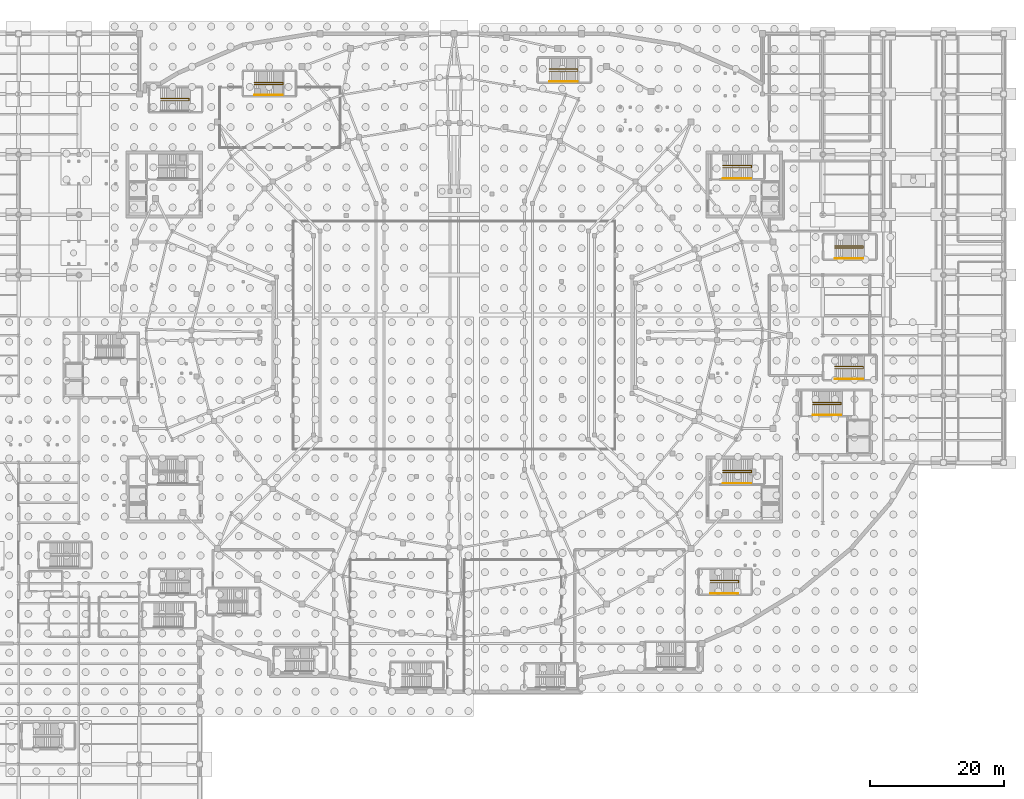
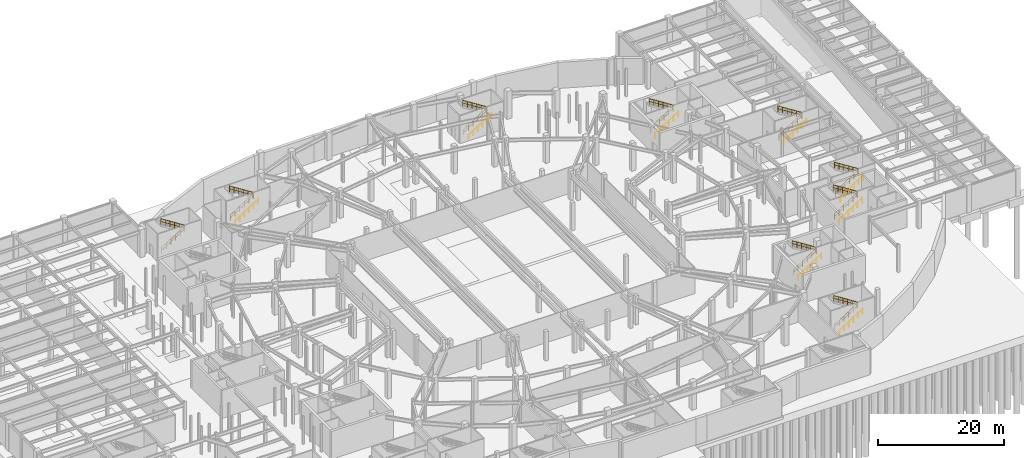
# One storey, part 55 of 56: 17 railings.
"""IFC4 building model written with IfcOpenShell, lengths in metres."""

import ifcopenshell
import ifcopenshell.guid

model = None  # the IFC model being written
_history = None  # IfcOwnerHistory: only IFC2X3 demands one
_inside = {}  # id of a spatial element -> (the spatial element, [elements in it])
_under = {}  # id of a project, library or spatial element -> (it, [spatial elements below it])
_declared = {}  # id of a project -> (the project, [libraries it declares])
_typed = {}  # id of a type object -> (the type object, [elements of that type])
_made_of = {}  # id of a material, layer set ... -> (it, [elements and type objects made of it])


def new_model(schema):
    """Start an empty IFC model of exactly this schema.

    Asked for "IFC4X3", IfcOpenShell would pick the latest addendum, in which some entities
    have other attributes; the version numbers below select the first issue.
    IFC2X3 requires an IfcOwnerHistory on every rooted entity: one is made here for all.
    """
    global model, _history
    if schema == "IFC4X3":
        model = ifcopenshell.file(schema_version=(4, 3, 0, 0))
    else:
        model = ifcopenshell.file(schema=schema)
    _inside.clear()
    _under.clear()
    _declared.clear()
    _typed.clear()
    _made_of.clear()
    _history = None
    if model.schema == "IFC2X3":
        org = make("IfcOrganization", Name="unknown")
        user = make(
            "IfcPersonAndOrganization",
            ThePerson=make("IfcPerson", FamilyName="unknown"),
            TheOrganization=org,
        )
        app = make(
            "IfcApplication",
            ApplicationDeveloper=org,
            Version="unknown",
            ApplicationFullName="unknown",
            ApplicationIdentifier="unknown",
        )
        _history = make(
            "IfcOwnerHistory",
            OwningUser=user,
            OwningApplication=app,
            ChangeAction="ADDED",
            CreationDate=0,
        )
    return model


def make(cls, **values):
    """One entity of the class cls with the attributes given. An attribute that is None is left unset."""
    return model.create_entity(
        cls, **{name: value for name, value in values.items() if value is not None}
    )


def rooted(cls, **values):
    """An entity with a GlobalId (a new one), such as an element, a storey or a relation."""
    return make(cls, GlobalId=ifcopenshell.guid.new(), OwnerHistory=_history, **values)


def si_unit(unit_type, name, prefix=None):
    """IfcSIUnit, for example si_unit("LENGTHUNIT", "METRE", prefix="MILLI")."""
    return make("IfcSIUnit", UnitType=unit_type, Prefix=prefix, Name=name)


def assignment(units):
    """IfcUnitAssignment: the units of a project."""
    return None if units is None else make("IfcUnitAssignment", Units=units)


def point(xyz):
    """IfcCartesianPoint."""
    return None if xyz is None else make("IfcCartesianPoint", Coordinates=xyz)


def direction(xyz):
    """IfcDirection."""
    return None if xyz is None else make("IfcDirection", DirectionRatios=xyz)


def frame(location, z_axis=None, x_axis=None):
    """IfcAxis2Placement3D, a coordinate frame: its origin and axes. An axis left out is left unset."""
    return make(
        "IfcAxis2Placement3D",
        Location=point(location),
        Axis=direction(z_axis),
        RefDirection=direction(x_axis),
    )


def frame_2d(location, x_axis=None):
    """IfcAxis2Placement2D, a coordinate frame in the plane: its origin and x axis."""
    return make(
        "IfcAxis2Placement2D", Location=point(location), RefDirection=direction(x_axis)
    )


def origin():
    """The frame at (0, 0, 0) with its axes left unset."""
    return frame((0.0, 0.0, 0.0))


def origin_2d():
    """The frame at (0, 0) in the plane with its x axis left unset."""
    return frame_2d((0.0, 0.0))


def place(relative_to, where):
    """IfcLocalPlacement: puts the frame where relative to a parent placement (None: the world)."""
    return make(
        "IfcLocalPlacement", PlacementRelTo=relative_to, RelativePlacement=where
    )


def context(
    kind, dimensions, precision=None, world=None, true_north=None, identifier=None
):
    """IfcGeometricRepresentationContext, for example the 3D "Model" context."""
    return make(
        "IfcGeometricRepresentationContext",
        ContextIdentifier=identifier,
        ContextType=kind,
        CoordinateSpaceDimension=dimensions,
        Precision=precision,
        WorldCoordinateSystem=world,
        TrueNorth=true_north,
    )


def subcontext(parent, identifier, kind, view, scale=None):
    """IfcGeometricRepresentationSubContext, for example "Body" below "Model"."""
    return make(
        "IfcGeometricRepresentationSubContext",
        ContextIdentifier=identifier,
        ContextType=kind,
        ParentContext=parent,
        TargetScale=scale,
        TargetView=view,
    )


def project(units=None, contexts=None):
    """IfcProject with its units and contexts."""
    return rooted(
        "IfcProject",
        Name="project",
        RepresentationContexts=contexts,
        UnitsInContext=assignment(units),
    )


def spatial(cls, under=None, at=None, **own):
    """A site, building, storey or space (cls), placed at a placement, below another one or the project."""
    s = rooted(cls, ObjectPlacement=at, **own)
    if under is not None:
        _under.setdefault(under.id(), (under, []))[1].append(s)
    return s


def profile(cls, at=None, kind="AREA", **sizes):
    """A parametric profile (cls). Its sizes go by their IFC names, for example OverallWidth=200.0."""
    return make(cls, ProfileType=kind, Position=at, **sizes)


def circle(**sizes):
    """IfcCircleProfileDef."""
    return profile("IfcCircleProfileDef", **sizes)


def extrude(swept, where, along, depth):
    """IfcExtrudedAreaSolid: the profile swept, set in the frame where, extruded along a direction by depth."""
    return make(
        "IfcExtrudedAreaSolid",
        SweptArea=swept,
        Position=where,
        ExtrudedDirection=direction(along),
        Depth=depth,
    )


def shape(context_of_items, identifier, shape_type, items):
    """IfcShapeRepresentation: the items that make up one representation, for example the "Body"."""
    return make(
        "IfcShapeRepresentation",
        ContextOfItems=context_of_items,
        RepresentationIdentifier=identifier,
        RepresentationType=shape_type,
        Items=items,
    )


def material(Name=None, Category=None):
    """IfcMaterial."""
    return make("IfcMaterial", Name=Name, Category=Category)


def made_of(thing, what):
    """Note that an element or type object is made of a material, layer set ...; save() writes the relation."""
    if what is not None:
        _made_of.setdefault(what.id(), (what, []))[1].append(thing)
    return thing


def type_object(cls, material=None, **own):
    """A type object (cls), such as IfcWallType, which elements share."""
    return made_of(rooted(cls, **own), material)


def element(
    cls,
    number,
    at=None,
    inside=None,
    cuts=None,
    type_object=None,
    material=None,
    context=None,
    identifier="Body",
    shape_type=None,
    held_by="IfcProductDefinitionShape",
    body=None,
    shapes=None,
    **own,
):
    """One element of the class cls, such as IfcWall. Its Tag is "e" and its number.

    at: its placement. inside: the storey or other place that contains it. cuts: it is an
    opening in that element (IfcRelVoidsElement). A single representation is given by context,
    identifier, shape_type and body (its items); several are given by shapes. held_by: the class
    of the entity that holds the representations. save() writes the other relations.
    """
    e = rooted(cls, Tag="e%d" % number, ObjectPlacement=at, **own)
    if body is not None:
        shapes = [shape(context, identifier, shape_type, body)]
    if shapes is not None:
        e.Representation = make(held_by, Representations=shapes)
    if inside is not None:
        _inside.setdefault(inside.id(), (inside, []))[1].append(e)
    if cuts is not None:
        rooted(
            "IfcRelVoidsElement", RelatingBuildingElement=cuts, RelatedOpeningElement=e
        )
    if type_object is not None:
        _typed.setdefault(type_object.id(), (type_object, []))[1].append(e)
    return made_of(e, material)


def aggregate(whole, parts):
    """IfcRelAggregates: a whole, such as a stair, and the parts it consists of."""
    return rooted("IfcRelAggregates", RelatingObject=whole, RelatedObjects=parts)


def save(model, path):
    """Write the relations noted so far, then the file.

    IfcRelAggregates (storeys below a building ...), IfcRelContainedInSpatialStructure (elements
    in a storey), IfcRelDefinesByType, IfcRelAssociatesMaterial and IfcRelDeclares: one each for
    every whole, place, type object, material and project.
    """
    for whole, parts in _under.values():
        aggregate(whole, parts)
    for where, things in _inside.values():
        rooted(
            "IfcRelContainedInSpatialStructure",
            RelatedElements=things,
            RelatingStructure=where,
        )
    for kind, things in _typed.values():
        rooted("IfcRelDefinesByType", RelatedObjects=things, RelatingType=kind)
    for what, things in _made_of.values():
        rooted("IfcRelAssociatesMaterial", RelatedObjects=things, RelatingMaterial=what)
    for by, libraries in _declared.values():
        rooted("IfcRelDeclares", RelatingContext=by, RelatedDefinitions=libraries)
    model.write(path)


model = new_model("IFC4")

# Units and contexts
model_context = context("Model", 3, precision=1e-05, world=origin(), true_north=direction((0.0, 1.0)))
body_context = subcontext(model_context, "Body", "Model", "MODEL_VIEW")
ifc_project = project(units=[si_unit("LENGTHUNIT", "METRE"), si_unit("AREAUNIT", "SQUARE_METRE"), si_unit("VOLUMEUNIT", "CUBIC_METRE"), si_unit("PLANEANGLEUNIT", "RADIAN"), si_unit("MASSUNIT", "GRAM", prefix="KILO")], contexts=[model_context])

# Site, building, storey
site_placement = place(None, origin())
site = spatial("IfcSite", under=ifc_project, at=site_placement, CompositionType="ELEMENT")
building_placement = place(site_placement, origin())
building = spatial("IfcBuilding", under=site, at=building_placement, Name="Glasvene Arena", CompositionType="ELEMENT")
storey_placement = place(building_placement, frame((0.0, 0.0, -5.39990234375)))
storey = spatial("IfcBuildingStorey", under=building, at=storey_placement, Name="B1", CompositionType="ELEMENT", Elevation=-5.39990234375)

# Railings
ifc_material = material(Name="Brushed stainless steel", Category="steel")
railing_type_1 = type_object("IfcRailingType", Name="RL-GUARD-1100", PredefinedType="GUARDRAIL", material=ifc_material)
railing_1_placement = place(storey_placement, frame((132.10009765625, 98.010009765625, 0.0)))
element("IfcRailing", 1, at=railing_1_placement, inside=storey, type_object=railing_type_1, Name="Stair inner well continuous guardrail ST-02-B1", PredefinedType="GUARDRAIL", context=body_context, shape_type="SweptSolid", body=[
    extrude(circle(Radius=0.02392578125, at=origin_2d()), frame((0.0, 0.0, 1.076171875), z_axis=(0.843501457581, 0.0, 0.537126885437), x_axis=(0.0, 1.0, 0.0)), (0.0, 0.0, 1.0), 5.026611328125),
    extrude(circle(Radius=0.01611328125, at=origin_2d()), frame((0.0, 0.0, 0.550048828125), z_axis=(0.843501457581, 0.0, 0.537126885437), x_axis=(0.0, 1.0, 0.0)), (0.0, 0.0, 1.0), 5.026611328125),
    extrude(circle(Radius=0.02392578125, at=origin_2d()), frame((4.239990234375, 0.0, 3.77587890625), z_axis=(0.0, 1.0, 0.0), x_axis=(-1.0, 0.0, 0.0)), (0.0, 0.0, 1.0), 0.330078125),
    extrude(circle(Radius=0.01611328125, at=origin_2d()), frame((4.239990234375, 0.0, 3.25), z_axis=(0.0, 1.0, 0.0), x_axis=(-1.0, 0.0, 0.0)), (0.0, 0.0, 1.0), 0.330078125),
    extrude(circle(Radius=0.02392578125, at=origin_2d()), frame((4.239990234375, 0.330078125, 3.77587890625), z_axis=(-0.843501457581, 0.0, 0.537126885437), x_axis=(0.0, -1.0, 0.0)), (0.0, 0.0, 1.0), 5.026611328125),
    extrude(circle(Radius=0.01611328125, at=origin_2d()), frame((4.239990234375, 0.330078125, 3.25), z_axis=(-0.843501457581, 0.0, 0.537126885437), x_axis=(0.0, -1.0, 0.0)), (0.0, 0.0, 1.0), 5.026611328125),
    extrude(circle(Radius=0.02099609375, at=origin_2d()), origin(), (0.0, 0.0, 1.0), 1.052001953125),
    extrude(circle(Radius=0.02099609375, at=origin_2d()), frame((0.847900390625, 0.0, 0.5400390625)), (0.0, 0.0, 1.0), 1.052001953125),
    extrude(circle(Radius=0.02099609375, at=origin_2d()), frame((1.696044921875, 0.0, 1.080078125)), (0.0, 0.0, 1.0), 1.052001953125),
    extrude(circle(Radius=0.02099609375, at=origin_2d()), frame((2.5439453125, 0.0, 1.619873046875)), (0.0, 0.0, 1.0), 1.052001953125),
    extrude(circle(Radius=0.02099609375, at=origin_2d()), frame((3.39208984375, 0.0, 2.159912109375)), (0.0, 0.0, 1.0), 1.052001953125),
    extrude(circle(Radius=0.02099609375, at=origin_2d()), frame((4.239990234375, 0.0, 2.699951171875)), (0.0, 0.0, 1.0), 1.052001953125),
    extrude(circle(Radius=0.02099609375, at=origin_2d()), frame((4.239990234375, 0.330078125, 2.699951171875)), (0.0, 0.0, 1.0), 1.052001953125),
    extrude(circle(Radius=0.02099609375, at=origin_2d()), frame((3.39208984375, 0.330078125, 3.239990234375)), (0.0, 0.0, 1.0), 1.052001953125),
    extrude(circle(Radius=0.02099609375, at=origin_2d()), frame((2.5439453125, 0.330078125, 3.780029296875)), (0.0, 0.0, 1.0), 1.052001953125),
    extrude(circle(Radius=0.02099609375, at=origin_2d()), frame((1.696044921875, 0.330078125, 4.31982421875)), (0.0, 0.0, 1.0), 1.052001953125),
    extrude(circle(Radius=0.02099609375, at=origin_2d()), frame((0.847900390625, 0.330078125, 4.85986328125)), (0.0, 0.0, 1.0), 1.052001953125),
    extrude(circle(Radius=0.02099609375, at=origin_2d()), frame((0.0, 0.330078125, 5.39990234375)), (0.0, 0.0, 1.0), 1.052001953125),
])
railing_2_placement = place(storey_placement, frame((132.10009765625, 52.510009765625, 0.0)))
element("IfcRailing", 2, at=railing_2_placement, inside=storey, type_object=railing_type_1, Name="Stair inner well continuous guardrail ST-04-B1", PredefinedType="GUARDRAIL", context=body_context, shape_type="SweptSolid", body=[
    extrude(circle(Radius=0.02392578125, at=origin_2d()), frame((0.0, 0.0, 1.076171875), z_axis=(0.843501457581, 0.0, 0.537126885437), x_axis=(0.0, 1.0, 0.0)), (0.0, 0.0, 1.0), 5.026611328125),
    extrude(circle(Radius=0.01611328125, at=origin_2d()), frame((0.0, 0.0, 0.550048828125), z_axis=(0.843501457581, 0.0, 0.537126885437), x_axis=(0.0, 1.0, 0.0)), (0.0, 0.0, 1.0), 5.026611328125),
    extrude(circle(Radius=0.02392578125, at=origin_2d()), frame((4.239990234375, 0.0, 3.77587890625), z_axis=(0.0, 1.0, 0.0), x_axis=(-1.0, 0.0, 0.0)), (0.0, 0.0, 1.0), 0.330078125),
    extrude(circle(Radius=0.01611328125, at=origin_2d()), frame((4.239990234375, 0.0, 3.25), z_axis=(0.0, 1.0, 0.0), x_axis=(-1.0, 0.0, 0.0)), (0.0, 0.0, 1.0), 0.330078125),
    extrude(circle(Radius=0.02392578125, at=origin_2d()), frame((4.239990234375, 0.330078125, 3.77587890625), z_axis=(-0.843501457581, 0.0, 0.537126885437), x_axis=(0.0, -1.0, 0.0)), (0.0, 0.0, 1.0), 5.026611328125),
    extrude(circle(Radius=0.01611328125, at=origin_2d()), frame((4.239990234375, 0.330078125, 3.25), z_axis=(-0.843501457581, 0.0, 0.537126885437), x_axis=(0.0, -1.0, 0.0)), (0.0, 0.0, 1.0), 5.026611328125),
    extrude(circle(Radius=0.02099609375, at=origin_2d()), origin(), (0.0, 0.0, 1.0), 1.052001953125),
    extrude(circle(Radius=0.02099609375, at=origin_2d()), frame((0.847900390625, 0.0, 0.5400390625)), (0.0, 0.0, 1.0), 1.052001953125),
    extrude(circle(Radius=0.02099609375, at=origin_2d()), frame((1.696044921875, 0.0, 1.080078125)), (0.0, 0.0, 1.0), 1.052001953125),
    extrude(circle(Radius=0.02099609375, at=origin_2d()), frame((2.5439453125, 0.0, 1.619873046875)), (0.0, 0.0, 1.0), 1.052001953125),
    extrude(circle(Radius=0.02099609375, at=origin_2d()), frame((3.39208984375, 0.0, 2.159912109375)), (0.0, 0.0, 1.0), 1.052001953125),
    extrude(circle(Radius=0.02099609375, at=origin_2d()), frame((4.239990234375, 0.0, 2.699951171875)), (0.0, 0.0, 1.0), 1.052001953125),
    extrude(circle(Radius=0.02099609375, at=origin_2d()), frame((4.239990234375, 0.330078125, 2.699951171875)), (0.0, 0.0, 1.0), 1.052001953125),
    extrude(circle(Radius=0.02099609375, at=origin_2d()), frame((3.39208984375, 0.330078125, 3.239990234375)), (0.0, 0.0, 1.0), 1.052001953125),
    extrude(circle(Radius=0.02099609375, at=origin_2d()), frame((2.5439453125, 0.330078125, 3.780029296875)), (0.0, 0.0, 1.0), 1.052001953125),
    extrude(circle(Radius=0.02099609375, at=origin_2d()), frame((1.696044921875, 0.330078125, 4.31982421875)), (0.0, 0.0, 1.0), 1.052001953125),
    extrude(circle(Radius=0.02099609375, at=origin_2d()), frame((0.847900390625, 0.330078125, 4.85986328125)), (0.0, 0.0, 1.0), 1.052001953125),
    extrude(circle(Radius=0.02099609375, at=origin_2d()), frame((0.0, 0.330078125, 5.39990234375)), (0.0, 0.0, 1.0), 1.052001953125),
])
railing_3_placement = place(storey_placement, frame((130.199951171875, 36.06005859375, 0.0)))
element("IfcRailing", 3, at=railing_3_placement, inside=storey, type_object=railing_type_1, Name="Stair inner well continuous guardrail ST-06-B1", PredefinedType="GUARDRAIL", context=body_context, shape_type="SweptSolid", body=[
    extrude(circle(Radius=0.02392578125, at=origin_2d()), frame((0.0, 0.0, 1.076171875), z_axis=(0.843501457581, 0.0, 0.537126885437), x_axis=(0.0, 1.0, 0.0)), (0.0, 0.0, 1.0), 5.026611328125),
    extrude(circle(Radius=0.01611328125, at=origin_2d()), frame((0.0, 0.0, 0.550048828125), z_axis=(0.843501457581, 0.0, 0.537126885437), x_axis=(0.0, 1.0, 0.0)), (0.0, 0.0, 1.0), 5.026611328125),
    extrude(circle(Radius=0.02392578125, at=origin_2d()), frame((4.239990234375, 0.0, 3.77587890625), z_axis=(0.0, 1.0, 0.0), x_axis=(-1.0, 0.0, 0.0)), (0.0, 0.0, 1.0), 0.329833984375),
    extrude(circle(Radius=0.01611328125, at=origin_2d()), frame((4.239990234375, 0.0, 3.25), z_axis=(0.0, 1.0, 0.0), x_axis=(-1.0, 0.0, 0.0)), (0.0, 0.0, 1.0), 0.329833984375),
    extrude(circle(Radius=0.02392578125, at=origin_2d()), frame((4.239990234375, 0.329833984375, 3.77587890625), z_axis=(-0.843501457581, 0.0, 0.537126885437), x_axis=(0.0, -1.0, 0.0)), (0.0, 0.0, 1.0), 5.026611328125),
    extrude(circle(Radius=0.01611328125, at=origin_2d()), frame((4.239990234375, 0.329833984375, 3.25), z_axis=(-0.843501457581, 0.0, 0.537126885437), x_axis=(0.0, -1.0, 0.0)), (0.0, 0.0, 1.0), 5.026611328125),
    extrude(circle(Radius=0.02099609375, at=origin_2d()), origin(), (0.0, 0.0, 1.0), 1.052001953125),
    extrude(circle(Radius=0.02099609375, at=origin_2d()), frame((0.847900390625, 0.0, 0.5400390625)), (0.0, 0.0, 1.0), 1.052001953125),
    extrude(circle(Radius=0.02099609375, at=origin_2d()), frame((1.696044921875, 0.0, 1.080078125)), (0.0, 0.0, 1.0), 1.052001953125),
    extrude(circle(Radius=0.02099609375, at=origin_2d()), frame((2.5439453125, 0.0, 1.619873046875)), (0.0, 0.0, 1.0), 1.052001953125),
    extrude(circle(Radius=0.02099609375, at=origin_2d()), frame((3.39208984375, 0.0, 2.159912109375)), (0.0, 0.0, 1.0), 1.052001953125),
    extrude(circle(Radius=0.02099609375, at=origin_2d()), frame((4.239990234375, 0.0, 2.699951171875)), (0.0, 0.0, 1.0), 1.052001953125),
    extrude(circle(Radius=0.02099609375, at=origin_2d()), frame((4.239990234375, 0.329833984375, 2.699951171875)), (0.0, 0.0, 1.0), 1.052001953125),
    extrude(circle(Radius=0.02099609375, at=origin_2d()), frame((3.39208984375, 0.329833984375, 3.239990234375)), (0.0, 0.0, 1.0), 1.052001953125),
    extrude(circle(Radius=0.02099609375, at=origin_2d()), frame((2.5439453125, 0.329833984375, 3.780029296875)), (0.0, 0.0, 1.0), 1.052001953125),
    extrude(circle(Radius=0.02099609375, at=origin_2d()), frame((1.696044921875, 0.329833984375, 4.31982421875)), (0.0, 0.0, 1.0), 1.052001953125),
    extrude(circle(Radius=0.02099609375, at=origin_2d()), frame((0.847900390625, 0.329833984375, 4.85986328125)), (0.0, 0.0, 1.0), 1.052001953125),
    extrude(circle(Radius=0.02099609375, at=origin_2d()), frame((0.0, 0.329833984375, 5.39990234375)), (0.0, 0.0, 1.0), 1.052001953125),
])
railing_4_placement = place(storey_placement, frame((62.199951171875, 110.409912109375, 0.0)))
element("IfcRailing", 4, at=railing_4_placement, inside=storey, type_object=railing_type_1, Name="Stair inner well continuous guardrail ST-10-B1", PredefinedType="GUARDRAIL", context=body_context, shape_type="SweptSolid", body=[
    extrude(circle(Radius=0.02392578125, at=origin_2d()), frame((0.0, 0.0, 1.076171875), z_axis=(0.843501457581, 0.0, 0.537126885437), x_axis=(0.0, 1.0, 0.0)), (0.0, 0.0, 1.0), 5.026611328125),
    extrude(circle(Radius=0.01611328125, at=origin_2d()), frame((0.0, 0.0, 0.550048828125), z_axis=(0.843501457581, 0.0, 0.537126885437), x_axis=(0.0, 1.0, 0.0)), (0.0, 0.0, 1.0), 5.026611328125),
    extrude(circle(Radius=0.02392578125, at=origin_2d()), frame((4.239990234375, 0.0, 3.77587890625), z_axis=(0.0, 1.0, 0.0), x_axis=(-1.0, 0.0, 0.0)), (0.0, 0.0, 1.0), 0.330078125),
    extrude(circle(Radius=0.01611328125, at=origin_2d()), frame((4.239990234375, 0.0, 3.25), z_axis=(0.0, 1.0, 0.0), x_axis=(-1.0, 0.0, 0.0)), (0.0, 0.0, 1.0), 0.330078125),
    extrude(circle(Radius=0.02392578125, at=origin_2d()), frame((4.239990234375, 0.330078125, 3.77587890625), z_axis=(-0.843501457581, 0.0, 0.537126885437), x_axis=(0.0, -1.0, 0.0)), (0.0, 0.0, 1.0), 5.026611328125),
    extrude(circle(Radius=0.01611328125, at=origin_2d()), frame((4.239990234375, 0.330078125, 3.25), z_axis=(-0.843501457581, 0.0, 0.537126885437), x_axis=(0.0, -1.0, 0.0)), (0.0, 0.0, 1.0), 5.026611328125),
    extrude(circle(Radius=0.02099609375, at=origin_2d()), origin(), (0.0, 0.0, 1.0), 1.052001953125),
    extrude(circle(Radius=0.02099609375, at=origin_2d()), frame((0.847900390625, 0.0, 0.5400390625)), (0.0, 0.0, 1.0), 1.052001953125),
    extrude(circle(Radius=0.02099609375, at=origin_2d()), frame((1.696044921875, 0.0, 1.080078125)), (0.0, 0.0, 1.0), 1.052001953125),
    extrude(circle(Radius=0.02099609375, at=origin_2d()), frame((2.5439453125, 0.0, 1.619873046875)), (0.0, 0.0, 1.0), 1.052001953125),
    extrude(circle(Radius=0.02099609375, at=origin_2d()), frame((3.39208984375, 0.0, 2.159912109375)), (0.0, 0.0, 1.0), 1.052001953125),
    extrude(circle(Radius=0.02099609375, at=origin_2d()), frame((4.239990234375, 0.0, 2.699951171875)), (0.0, 0.0, 1.0), 1.052001953125),
    extrude(circle(Radius=0.02099609375, at=origin_2d()), frame((4.239990234375, 0.330078125, 2.699951171875)), (0.0, 0.0, 1.0), 1.052001953125),
    extrude(circle(Radius=0.02099609375, at=origin_2d()), frame((3.39208984375, 0.330078125, 3.239990234375)), (0.0, 0.0, 1.0), 1.052001953125),
    extrude(circle(Radius=0.02099609375, at=origin_2d()), frame((2.5439453125, 0.330078125, 3.780029296875)), (0.0, 0.0, 1.0), 1.052001953125),
    extrude(circle(Radius=0.02099609375, at=origin_2d()), frame((1.696044921875, 0.330078125, 4.31982421875)), (0.0, 0.0, 1.0), 1.052001953125),
    extrude(circle(Radius=0.02099609375, at=origin_2d()), frame((0.847900390625, 0.330078125, 4.85986328125)), (0.0, 0.0, 1.0), 1.052001953125),
    extrude(circle(Radius=0.02099609375, at=origin_2d()), frame((0.0, 0.330078125, 5.39990234375)), (0.0, 0.0, 1.0), 1.052001953125),
])
railing_5_placement = place(storey_placement, frame((106.199951171875, 112.409912109375, 0.0)))
element("IfcRailing", 5, at=railing_5_placement, inside=storey, type_object=railing_type_1, Name="Stair inner well continuous guardrail ST-11-B1", PredefinedType="GUARDRAIL", context=body_context, shape_type="SweptSolid", body=[
    extrude(circle(Radius=0.02392578125, at=origin_2d()), frame((0.0, 0.0, 1.076171875), z_axis=(0.843501457581, 0.0, 0.537126885437), x_axis=(0.0, 1.0, 0.0)), (0.0, 0.0, 1.0), 5.026611328125),
    extrude(circle(Radius=0.01611328125, at=origin_2d()), frame((0.0, 0.0, 0.550048828125), z_axis=(0.843501457581, 0.0, 0.537126885437), x_axis=(0.0, 1.0, 0.0)), (0.0, 0.0, 1.0), 5.026611328125),
    extrude(circle(Radius=0.02392578125, at=origin_2d()), frame((4.239990234375, 0.0, 3.77587890625), z_axis=(0.0, 1.0, 0.0), x_axis=(-1.0, 0.0, 0.0)), (0.0, 0.0, 1.0), 0.330078125),
    extrude(circle(Radius=0.01611328125, at=origin_2d()), frame((4.239990234375, 0.0, 3.25), z_axis=(0.0, 1.0, 0.0), x_axis=(-1.0, 0.0, 0.0)), (0.0, 0.0, 1.0), 0.330078125),
    extrude(circle(Radius=0.02392578125, at=origin_2d()), frame((4.239990234375, 0.330078125, 3.77587890625), z_axis=(-0.843501457581, 0.0, 0.537126885437), x_axis=(0.0, -1.0, 0.0)), (0.0, 0.0, 1.0), 5.026611328125),
    extrude(circle(Radius=0.01611328125, at=origin_2d()), frame((4.239990234375, 0.330078125, 3.25), z_axis=(-0.843501457581, 0.0, 0.537126885437), x_axis=(0.0, -1.0, 0.0)), (0.0, 0.0, 1.0), 5.026611328125),
    extrude(circle(Radius=0.02099609375, at=origin_2d()), origin(), (0.0, 0.0, 1.0), 1.052001953125),
    extrude(circle(Radius=0.02099609375, at=origin_2d()), frame((0.847900390625, 0.0, 0.5400390625)), (0.0, 0.0, 1.0), 1.052001953125),
    extrude(circle(Radius=0.02099609375, at=origin_2d()), frame((1.696044921875, 0.0, 1.080078125)), (0.0, 0.0, 1.0), 1.052001953125),
    extrude(circle(Radius=0.02099609375, at=origin_2d()), frame((2.5439453125, 0.0, 1.619873046875)), (0.0, 0.0, 1.0), 1.052001953125),
    extrude(circle(Radius=0.02099609375, at=origin_2d()), frame((3.39208984375, 0.0, 2.159912109375)), (0.0, 0.0, 1.0), 1.052001953125),
    extrude(circle(Radius=0.02099609375, at=origin_2d()), frame((4.239990234375, 0.0, 2.699951171875)), (0.0, 0.0, 1.0), 1.052001953125),
    extrude(circle(Radius=0.02099609375, at=origin_2d()), frame((4.239990234375, 0.330078125, 2.699951171875)), (0.0, 0.0, 1.0), 1.052001953125),
    extrude(circle(Radius=0.02099609375, at=origin_2d()), frame((3.39208984375, 0.330078125, 3.239990234375)), (0.0, 0.0, 1.0), 1.052001953125),
    extrude(circle(Radius=0.02099609375, at=origin_2d()), frame((2.5439453125, 0.330078125, 3.780029296875)), (0.0, 0.0, 1.0), 1.052001953125),
    extrude(circle(Radius=0.02099609375, at=origin_2d()), frame((1.696044921875, 0.330078125, 4.31982421875)), (0.0, 0.0, 1.0), 1.052001953125),
    extrude(circle(Radius=0.02099609375, at=origin_2d()), frame((0.847900390625, 0.330078125, 4.85986328125)), (0.0, 0.0, 1.0), 1.052001953125),
    extrude(circle(Radius=0.02099609375, at=origin_2d()), frame((0.0, 0.330078125, 5.39990234375)), (0.0, 0.0, 1.0), 1.052001953125),
])
railing_6_placement = place(storey_placement, frame((48.199951171875, 108.010009765625, 0.0)))
element("IfcRailing", 6, at=railing_6_placement, inside=storey, type_object=railing_type_1, Name="Stair inner well continuous guardrail ST-12-B1", PredefinedType="GUARDRAIL", context=body_context, shape_type="SweptSolid", body=[
    extrude(circle(Radius=0.02392578125, at=origin_2d()), frame((0.0, 0.0, 1.076171875), z_axis=(0.843501457581, 0.0, 0.537126885437), x_axis=(0.0, 1.0, 0.0)), (0.0, 0.0, 1.0), 5.026611328125),
    extrude(circle(Radius=0.01611328125, at=origin_2d()), frame((0.0, 0.0, 0.550048828125), z_axis=(0.843501457581, 0.0, 0.537126885437), x_axis=(0.0, 1.0, 0.0)), (0.0, 0.0, 1.0), 5.026611328125),
    extrude(circle(Radius=0.02392578125, at=origin_2d()), frame((4.239990234375, 0.0, 3.77587890625), z_axis=(0.0, 1.0, 0.0), x_axis=(-1.0, 0.0, 0.0)), (0.0, 0.0, 1.0), 0.330078125),
    extrude(circle(Radius=0.01611328125, at=origin_2d()), frame((4.239990234375, 0.0, 3.25), z_axis=(0.0, 1.0, 0.0), x_axis=(-1.0, 0.0, 0.0)), (0.0, 0.0, 1.0), 0.330078125),
    extrude(circle(Radius=0.02392578125, at=origin_2d()), frame((4.239990234375, 0.330078125, 3.77587890625), z_axis=(-0.843501457581, 0.0, 0.537126885437), x_axis=(0.0, -1.0, 0.0)), (0.0, 0.0, 1.0), 5.026611328125),
    extrude(circle(Radius=0.01611328125, at=origin_2d()), frame((4.239990234375, 0.330078125, 3.25), z_axis=(-0.843501457581, 0.0, 0.537126885437), x_axis=(0.0, -1.0, 0.0)), (0.0, 0.0, 1.0), 5.026611328125),
    extrude(circle(Radius=0.02099609375, at=origin_2d()), origin(), (0.0, 0.0, 1.0), 1.052001953125),
    extrude(circle(Radius=0.02099609375, at=origin_2d()), frame((0.847900390625, 0.0, 0.5400390625)), (0.0, 0.0, 1.0), 1.052001953125),
    extrude(circle(Radius=0.02099609375, at=origin_2d()), frame((1.696044921875, 0.0, 1.080078125)), (0.0, 0.0, 1.0), 1.052001953125),
    extrude(circle(Radius=0.02099609375, at=origin_2d()), frame((2.5439453125, 0.0, 1.619873046875)), (0.0, 0.0, 1.0), 1.052001953125),
    extrude(circle(Radius=0.02099609375, at=origin_2d()), frame((3.39208984375, 0.0, 2.159912109375)), (0.0, 0.0, 1.0), 1.052001953125),
    extrude(circle(Radius=0.02099609375, at=origin_2d()), frame((4.239990234375, 0.0, 2.699951171875)), (0.0, 0.0, 1.0), 1.052001953125),
    extrude(circle(Radius=0.02099609375, at=origin_2d()), frame((4.239990234375, 0.330078125, 2.699951171875)), (0.0, 0.0, 1.0), 1.052001953125),
    extrude(circle(Radius=0.02099609375, at=origin_2d()), frame((3.39208984375, 0.330078125, 3.239990234375)), (0.0, 0.0, 1.0), 1.052001953125),
    extrude(circle(Radius=0.02099609375, at=origin_2d()), frame((2.5439453125, 0.330078125, 3.780029296875)), (0.0, 0.0, 1.0), 1.052001953125),
    extrude(circle(Radius=0.02099609375, at=origin_2d()), frame((1.696044921875, 0.330078125, 4.31982421875)), (0.0, 0.0, 1.0), 1.052001953125),
    extrude(circle(Radius=0.02099609375, at=origin_2d()), frame((0.847900390625, 0.330078125, 4.85986328125)), (0.0, 0.0, 1.0), 1.052001953125),
    extrude(circle(Radius=0.02099609375, at=origin_2d()), frame((0.0, 0.330078125, 5.39990234375)), (0.0, 0.0, 1.0), 1.052001953125),
])
railing_7_placement = place(storey_placement, frame((145.5, 62.659912109375, 0.0)))
element("IfcRailing", 7, at=railing_7_placement, inside=storey, type_object=railing_type_1, Name="Stair inner well continuous guardrail ST-B01-B1", PredefinedType="GUARDRAIL", context=body_context, shape_type="SweptSolid", body=[
    extrude(circle(Radius=0.02392578125, at=origin_2d()), frame((0.0, 0.0, 1.076171875), z_axis=(0.843501457581, 0.0, 0.537126885437), x_axis=(0.0, 1.0, 0.0)), (0.0, 0.0, 1.0), 5.026611328125),
    extrude(circle(Radius=0.01611328125, at=origin_2d()), frame((0.0, 0.0, 0.550048828125), z_axis=(0.843501457581, 0.0, 0.537126885437), x_axis=(0.0, 1.0, 0.0)), (0.0, 0.0, 1.0), 5.026611328125),
    extrude(circle(Radius=0.02392578125, at=origin_2d()), frame((4.239990234375, 0.0, 3.77587890625), z_axis=(0.0, 1.0, 0.0), x_axis=(-1.0, 0.0, 0.0)), (0.0, 0.0, 1.0), 0.330078125),
    extrude(circle(Radius=0.01611328125, at=origin_2d()), frame((4.239990234375, 0.0, 3.25), z_axis=(0.0, 1.0, 0.0), x_axis=(-1.0, 0.0, 0.0)), (0.0, 0.0, 1.0), 0.330078125),
    extrude(circle(Radius=0.02392578125, at=origin_2d()), frame((4.239990234375, 0.330078125, 3.77587890625), z_axis=(-0.843501457581, 0.0, 0.537126885437), x_axis=(0.0, -1.0, 0.0)), (0.0, 0.0, 1.0), 5.026611328125),
    extrude(circle(Radius=0.01611328125, at=origin_2d()), frame((4.239990234375, 0.330078125, 3.25), z_axis=(-0.843501457581, 0.0, 0.537126885437), x_axis=(0.0, -1.0, 0.0)), (0.0, 0.0, 1.0), 5.026611328125),
    extrude(circle(Radius=0.02099609375, at=origin_2d()), origin(), (0.0, 0.0, 1.0), 1.052001953125),
    extrude(circle(Radius=0.02099609375, at=origin_2d()), frame((0.847900390625, 0.0, 0.5400390625)), (0.0, 0.0, 1.0), 1.052001953125),
    extrude(circle(Radius=0.02099609375, at=origin_2d()), frame((1.696044921875, 0.0, 1.080078125)), (0.0, 0.0, 1.0), 1.052001953125),
    extrude(circle(Radius=0.02099609375, at=origin_2d()), frame((2.5439453125, 0.0, 1.619873046875)), (0.0, 0.0, 1.0), 1.052001953125),
    extrude(circle(Radius=0.02099609375, at=origin_2d()), frame((3.39208984375, 0.0, 2.159912109375)), (0.0, 0.0, 1.0), 1.052001953125),
    extrude(circle(Radius=0.02099609375, at=origin_2d()), frame((4.239990234375, 0.0, 2.699951171875)), (0.0, 0.0, 1.0), 1.052001953125),
    extrude(circle(Radius=0.02099609375, at=origin_2d()), frame((4.239990234375, 0.330078125, 2.699951171875)), (0.0, 0.0, 1.0), 1.052001953125),
    extrude(circle(Radius=0.02099609375, at=origin_2d()), frame((3.39208984375, 0.330078125, 3.239990234375)), (0.0, 0.0, 1.0), 1.052001953125),
    extrude(circle(Radius=0.02099609375, at=origin_2d()), frame((2.5439453125, 0.330078125, 3.780029296875)), (0.0, 0.0, 1.0), 1.052001953125),
    extrude(circle(Radius=0.02099609375, at=origin_2d()), frame((1.696044921875, 0.330078125, 4.31982421875)), (0.0, 0.0, 1.0), 1.052001953125),
    extrude(circle(Radius=0.02099609375, at=origin_2d()), frame((0.847900390625, 0.330078125, 4.85986328125)), (0.0, 0.0, 1.0), 1.052001953125),
    extrude(circle(Radius=0.02099609375, at=origin_2d()), frame((0.0, 0.330078125, 5.39990234375)), (0.0, 0.0, 1.0), 1.052001953125),
])
railing_8_placement = place(storey_placement, frame((148.800048828125, 68.010009765625, 0.0)))
element("IfcRailing", 8, at=railing_8_placement, inside=storey, type_object=railing_type_1, Name="Stair inner well continuous guardrail ST-B04-B1", PredefinedType="GUARDRAIL", context=body_context, shape_type="SweptSolid", body=[
    extrude(circle(Radius=0.02392578125, at=origin_2d()), frame((0.0, 0.0, 1.076171875), z_axis=(0.843501457581, 0.0, 0.537126885437), x_axis=(0.0, 1.0, 0.0)), (0.0, 0.0, 1.0), 5.026611328125),
    extrude(circle(Radius=0.01611328125, at=origin_2d()), frame((0.0, 0.0, 0.550048828125), z_axis=(0.843501457581, 0.0, 0.537126885437), x_axis=(0.0, 1.0, 0.0)), (0.0, 0.0, 1.0), 5.026611328125),
    extrude(circle(Radius=0.02392578125, at=origin_2d()), frame((4.239990234375, 0.0, 3.77587890625), z_axis=(0.0, 1.0, 0.0), x_axis=(-1.0, 0.0, 0.0)), (0.0, 0.0, 1.0), 0.330078125),
    extrude(circle(Radius=0.01611328125, at=origin_2d()), frame((4.239990234375, 0.0, 3.25), z_axis=(0.0, 1.0, 0.0), x_axis=(-1.0, 0.0, 0.0)), (0.0, 0.0, 1.0), 0.330078125),
    extrude(circle(Radius=0.02392578125, at=origin_2d()), frame((4.239990234375, 0.330078125, 3.77587890625), z_axis=(-0.843501457581, 0.0, 0.537126885437), x_axis=(0.0, -1.0, 0.0)), (0.0, 0.0, 1.0), 5.026611328125),
    extrude(circle(Radius=0.01611328125, at=origin_2d()), frame((4.239990234375, 0.330078125, 3.25), z_axis=(-0.843501457581, 0.0, 0.537126885437), x_axis=(0.0, -1.0, 0.0)), (0.0, 0.0, 1.0), 5.026611328125),
    extrude(circle(Radius=0.02099609375, at=origin_2d()), origin(), (0.0, 0.0, 1.0), 1.052001953125),
    extrude(circle(Radius=0.02099609375, at=origin_2d()), frame((0.847900390625, 0.0, 0.5400390625)), (0.0, 0.0, 1.0), 1.052001953125),
    extrude(circle(Radius=0.02099609375, at=origin_2d()), frame((1.696044921875, 0.0, 1.080078125)), (0.0, 0.0, 1.0), 1.052001953125),
    extrude(circle(Radius=0.02099609375, at=origin_2d()), frame((2.5439453125, 0.0, 1.619873046875)), (0.0, 0.0, 1.0), 1.052001953125),
    extrude(circle(Radius=0.02099609375, at=origin_2d()), frame((3.39208984375, 0.0, 2.159912109375)), (0.0, 0.0, 1.0), 1.052001953125),
    extrude(circle(Radius=0.02099609375, at=origin_2d()), frame((4.239990234375, 0.0, 2.699951171875)), (0.0, 0.0, 1.0), 1.052001953125),
    extrude(circle(Radius=0.02099609375, at=origin_2d()), frame((4.239990234375, 0.330078125, 2.699951171875)), (0.0, 0.0, 1.0), 1.052001953125),
    extrude(circle(Radius=0.02099609375, at=origin_2d()), frame((3.39208984375, 0.330078125, 3.239990234375)), (0.0, 0.0, 1.0), 1.052001953125),
    extrude(circle(Radius=0.02099609375, at=origin_2d()), frame((2.5439453125, 0.330078125, 3.780029296875)), (0.0, 0.0, 1.0), 1.052001953125),
    extrude(circle(Radius=0.02099609375, at=origin_2d()), frame((1.696044921875, 0.330078125, 4.31982421875)), (0.0, 0.0, 1.0), 1.052001953125),
    extrude(circle(Radius=0.02099609375, at=origin_2d()), frame((0.847900390625, 0.330078125, 4.85986328125)), (0.0, 0.0, 1.0), 1.052001953125),
    extrude(circle(Radius=0.02099609375, at=origin_2d()), frame((0.0, 0.330078125, 5.39990234375)), (0.0, 0.0, 1.0), 1.052001953125),
])
railing_9_placement = place(storey_placement, frame((148.800048828125, 86.010009765625, 0.0)))
element("IfcRailing", 9, at=railing_9_placement, inside=storey, type_object=railing_type_1, Name="Stair inner well continuous guardrail ST-B05-B1", PredefinedType="GUARDRAIL", context=body_context, shape_type="SweptSolid", body=[
    extrude(circle(Radius=0.02392578125, at=origin_2d()), frame((0.0, 0.0, 1.076171875), z_axis=(0.843501457581, 0.0, 0.537126885437), x_axis=(0.0, 1.0, 0.0)), (0.0, 0.0, 1.0), 5.026611328125),
    extrude(circle(Radius=0.01611328125, at=origin_2d()), frame((0.0, 0.0, 0.550048828125), z_axis=(0.843501457581, 0.0, 0.537126885437), x_axis=(0.0, 1.0, 0.0)), (0.0, 0.0, 1.0), 5.026611328125),
    extrude(circle(Radius=0.02392578125, at=origin_2d()), frame((4.239990234375, 0.0, 3.77587890625), z_axis=(0.0, 1.0, 0.0), x_axis=(-1.0, 0.0, 0.0)), (0.0, 0.0, 1.0), 0.330078125),
    extrude(circle(Radius=0.01611328125, at=origin_2d()), frame((4.239990234375, 0.0, 3.25), z_axis=(0.0, 1.0, 0.0), x_axis=(-1.0, 0.0, 0.0)), (0.0, 0.0, 1.0), 0.330078125),
    extrude(circle(Radius=0.02392578125, at=origin_2d()), frame((4.239990234375, 0.330078125, 3.77587890625), z_axis=(-0.843501457581, 0.0, 0.537126885437), x_axis=(0.0, -1.0, 0.0)), (0.0, 0.0, 1.0), 5.026611328125),
    extrude(circle(Radius=0.01611328125, at=origin_2d()), frame((4.239990234375, 0.330078125, 3.25), z_axis=(-0.843501457581, 0.0, 0.537126885437), x_axis=(0.0, -1.0, 0.0)), (0.0, 0.0, 1.0), 5.026611328125),
    extrude(circle(Radius=0.02099609375, at=origin_2d()), origin(), (0.0, 0.0, 1.0), 1.052001953125),
    extrude(circle(Radius=0.02099609375, at=origin_2d()), frame((0.847900390625, 0.0, 0.5400390625)), (0.0, 0.0, 1.0), 1.052001953125),
    extrude(circle(Radius=0.02099609375, at=origin_2d()), frame((1.696044921875, 0.0, 1.080078125)), (0.0, 0.0, 1.0), 1.052001953125),
    extrude(circle(Radius=0.02099609375, at=origin_2d()), frame((2.5439453125, 0.0, 1.619873046875)), (0.0, 0.0, 1.0), 1.052001953125),
    extrude(circle(Radius=0.02099609375, at=origin_2d()), frame((3.39208984375, 0.0, 2.159912109375)), (0.0, 0.0, 1.0), 1.052001953125),
    extrude(circle(Radius=0.02099609375, at=origin_2d()), frame((4.239990234375, 0.0, 2.699951171875)), (0.0, 0.0, 1.0), 1.052001953125),
    extrude(circle(Radius=0.02099609375, at=origin_2d()), frame((4.239990234375, 0.330078125, 2.699951171875)), (0.0, 0.0, 1.0), 1.052001953125),
    extrude(circle(Radius=0.02099609375, at=origin_2d()), frame((3.39208984375, 0.330078125, 3.239990234375)), (0.0, 0.0, 1.0), 1.052001953125),
    extrude(circle(Radius=0.02099609375, at=origin_2d()), frame((2.5439453125, 0.330078125, 3.780029296875)), (0.0, 0.0, 1.0), 1.052001953125),
    extrude(circle(Radius=0.02099609375, at=origin_2d()), frame((1.696044921875, 0.330078125, 4.31982421875)), (0.0, 0.0, 1.0), 1.052001953125),
    extrude(circle(Radius=0.02099609375, at=origin_2d()), frame((0.847900390625, 0.330078125, 4.85986328125)), (0.0, 0.0, 1.0), 1.052001953125),
    extrude(circle(Radius=0.02099609375, at=origin_2d()), frame((0.0, 0.330078125, 5.39990234375)), (0.0, 0.0, 1.0), 1.052001953125),
])
railing_type_2 = type_object("IfcRailingType", Name="RL-HAND-950", PredefinedType="HANDRAIL", material=ifc_material)
for number, where, name in (
    (10, (132.10009765625, 96.409912109375, 0.0), "Stair wall handrail ST-02-B1"),
    (11, (132.10009765625, 50.909912109375, 0.0), "Stair wall handrail ST-04-B1"),
    (12, (130.199951171875, 34.4599609375, 0.0), "Stair wall handrail ST-06-B1"),
    (13, (62.199951171875, 108.860107421875, 0.0), "Stair wall handrail ST-10-B1"),
    (14, (106.199951171875, 110.860107421875, 0.0), "Stair wall handrail ST-11-B1"),
    (15, (145.5, 61.110107421875, 0.0), "Stair wall handrail ST-B01-B1"),
    (16, (148.800048828125, 66.4599609375, 0.0), "Stair wall handrail ST-B04-B1"),
    (17, (148.800048828125, 84.4599609375, 0.0), "Stair wall handrail ST-B05-B1"),
):
    element("IfcRailing", number, at=place(storey_placement, frame(where)), inside=storey, type_object=railing_type_2, Name=name, PredefinedType="HANDRAIL", context=body_context, shape_type="SweptSolid", body=[
        extrude(circle(Radius=0.02392578125, at=origin_2d()), frame((0.0, 0.0, 0.92578125), z_axis=(0.841180064094, 0.0, 0.540755119968), x_axis=(0.0, 1.0, 0.0)), (0.0, 0.0, 1.0), 4.992919921875),
        extrude(circle(Radius=0.02099609375, at=origin_2d()), origin(), (0.0, 0.0, 1.0), 0.90185546875),
        extrude(circle(Radius=0.02099609375, at=origin_2d()), frame((0.840087890625, 0.0, 0.5400390625)), (0.0, 0.0, 1.0), 0.90185546875),
        extrude(circle(Radius=0.02099609375, at=origin_2d()), frame((1.679931640625, 0.0, 1.080078125)), (0.0, 0.0, 1.0), 0.90185546875),
        extrude(circle(Radius=0.02099609375, at=origin_2d()), frame((2.52001953125, 0.0, 1.619873046875)), (0.0, 0.0, 1.0), 0.90185546875),
        extrude(circle(Radius=0.02099609375, at=origin_2d()), frame((3.35986328125, 0.0, 2.159912109375)), (0.0, 0.0, 1.0), 0.90185546875),
        extrude(circle(Radius=0.02099609375, at=origin_2d()), frame((4.199951171875, 0.0, 2.699951171875)), (0.0, 0.0, 1.0), 0.90185546875),
    ])

save(model, "model.ifc")
